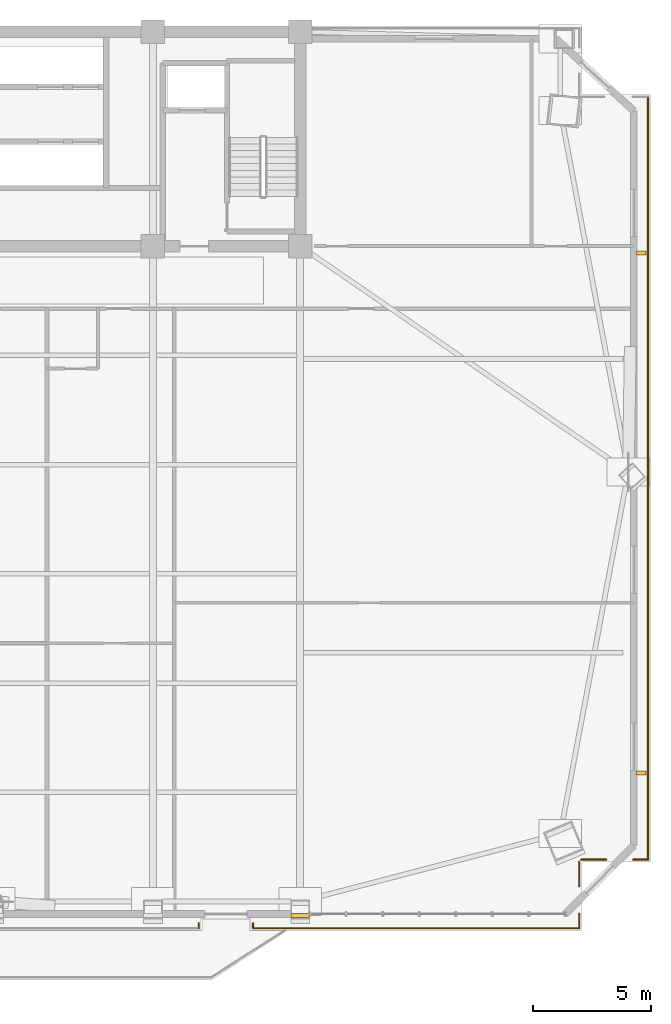
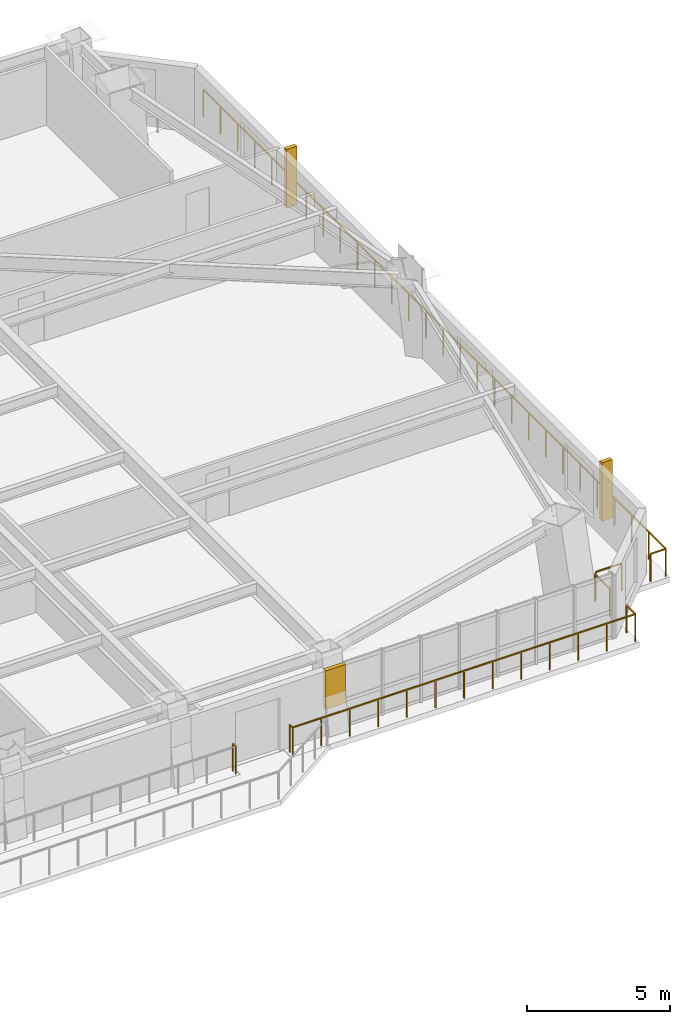
# One storey, part 14 of 16: 8 railings, 2 shading devices, 1 covering.
"""IFC4 building model written with IfcOpenShell, lengths in metres."""

from ifc_helpers import new_model, si_unit, direction, frame, origin, origin_2d, place, context, subcontext, project, spatial, polyline, rectangle, outline, extrude, source, transform, mapped, material, layer, layer_set, type_object, element, save


model = new_model("IFC4")

# Units and contexts
model_context = context("Model", 3, precision=1e-05, world=origin(), true_north=direction((0.0, 1.0)))
body_context = subcontext(model_context, "Body", "Model", "MODEL_VIEW")
ifc_project = project(units=[si_unit("LENGTHUNIT", "METRE"), si_unit("AREAUNIT", "SQUARE_METRE"), si_unit("VOLUMEUNIT", "CUBIC_METRE"), si_unit("PLANEANGLEUNIT", "RADIAN"), si_unit("MASSUNIT", "GRAM", prefix="KILO")], contexts=[model_context])

# Site, building, storey
site_placement = place(None, origin())
site = spatial("IfcSite", under=ifc_project, at=site_placement, CompositionType="ELEMENT")
building_placement = place(site_placement, origin())
building = spatial("IfcBuilding", under=site, at=building_placement, Name="Giltprow Tower", CompositionType="ELEMENT")
storey_placement = place(building_placement, frame((0.0, 0.0, 166.699951171875)))
storey = spatial("IfcBuildingStorey", under=building, at=storey_placement, Name="L41", CompositionType="ELEMENT", Elevation=166.699951171875)

# Covering
ifc_material = material(Name="Anodized bronze", Category="metal")
ifc_layer = layer(ifc_material, 0.0400390625, Name="Anodized bronze")
ifc_layer_set = layer_set([ifc_layer], Name="Anodized bronze")
covering_type = type_object("IfcCoveringType", Name="COV-SOFFIT-BRONZE", PredefinedType="CLADDING", material=ifc_layer_set)
covering_placement = place(storey_placement, frame((0.0, 0.0, 1.10009765625)))
element("IfcCovering", 1, at=covering_placement, inside=storey, type_object=covering_type, Name="L41 Setback Pier Closure Cladding S-5", PredefinedType="CLADDING", context=body_context, shape_type="SweptSolid", body=[
    extrude(outline(polyline([(50.14990234375, 8.9580078125), (50.949951171875, 8.9580078125), (50.949951171875, 9.117919921875), (50.14990234375, 9.117919921875), (50.14990234375, 8.9580078125)])), origin(), (0.0, 0.0, 1.0), 1.64990234375),
])

# Railings
railing_type = type_object("IfcRailingType", Name="RAIL-BALC-GUARD-1200", PredefinedType="BALUSTRADE", material=ifc_material)
railing_1_placement = place(storey_placement, frame((65.31591796875, 43.787109375, 0.0)))
element("IfcRailing", 2, at=railing_1_placement, inside=storey, type_object=railing_type, Name="L41 Corner Apron Edge Balustrade 18", PredefinedType="BALUSTRADE", context=body_context, shape_type="SweptSolid", body=[
    extrude(rectangle(XDim=0.048095703125, YDim=0.048095703125, at=origin_2d()), frame((0.0, 0.0, 1.17578125), z_axis=(0.0, -1.0, 0.0), x_axis=(1.0, 0.0, 0.0)), (0.0, 0.0, 1.0), 32.376220703125),
    extrude(rectangle(XDim=0.0419921875, YDim=0.0419921875, at=origin_2d()), origin(), (0.0, 0.0, 1.0), 1.15185546875),
    extrude(rectangle(XDim=0.0419921875, YDim=0.0419921875, at=origin_2d()), frame((0.0, -1.19921875, 0.0)), (0.0, 0.0, 1.0), 1.15185546875),
    extrude(rectangle(XDim=0.0419921875, YDim=0.0419921875, at=origin_2d()), frame((0.0, -2.398193359375, 0.0)), (0.0, 0.0, 1.0), 1.15185546875),
    extrude(rectangle(XDim=0.0419921875, YDim=0.0419921875, at=origin_2d()), frame((0.0, -3.597412109375, 0.0)), (0.0, 0.0, 1.0), 1.15185546875),
    extrude(rectangle(XDim=0.0419921875, YDim=0.0419921875, at=origin_2d()), frame((0.0, -4.79638671875, 0.0)), (0.0, 0.0, 1.0), 1.15185546875),
    extrude(rectangle(XDim=0.0419921875, YDim=0.0419921875, at=origin_2d()), frame((0.0, -5.99560546875, 0.0)), (0.0, 0.0, 1.0), 1.15185546875),
    extrude(rectangle(XDim=0.0419921875, YDim=0.0419921875, at=origin_2d()), frame((0.0, -7.19482421875, 0.0)), (0.0, 0.0, 1.0), 1.15185546875),
    extrude(rectangle(XDim=0.0419921875, YDim=0.0419921875, at=origin_2d()), frame((0.0, -8.393798828125, 0.0)), (0.0, 0.0, 1.0), 1.15185546875),
    extrude(rectangle(XDim=0.0419921875, YDim=0.0419921875, at=origin_2d()), frame((0.0, -9.593017578125, 0.0)), (0.0, 0.0, 1.0), 1.15185546875),
    extrude(rectangle(XDim=0.0419921875, YDim=0.0419921875, at=origin_2d()), frame((0.0, -10.7919921875, 0.0)), (0.0, 0.0, 1.0), 1.15185546875),
    extrude(rectangle(XDim=0.0419921875, YDim=0.0419921875, at=origin_2d()), frame((0.0, -11.9912109375, 0.0)), (0.0, 0.0, 1.0), 1.15185546875),
    extrude(rectangle(XDim=0.0419921875, YDim=0.0419921875, at=origin_2d()), frame((0.0, -13.1904296875, 0.0)), (0.0, 0.0, 1.0), 1.15185546875),
    extrude(rectangle(XDim=0.0419921875, YDim=0.0419921875, at=origin_2d()), frame((0.0, -14.389404296875, 0.0)), (0.0, 0.0, 1.0), 1.15185546875),
    extrude(rectangle(XDim=0.0419921875, YDim=0.0419921875, at=origin_2d()), frame((0.0, -15.588623046875, 0.0)), (0.0, 0.0, 1.0), 1.15185546875),
    extrude(rectangle(XDim=0.0419921875, YDim=0.0419921875, at=origin_2d()), frame((0.0, -16.78759765625, 0.0)), (0.0, 0.0, 1.0), 1.15185546875),
    extrude(rectangle(XDim=0.0419921875, YDim=0.0419921875, at=origin_2d()), frame((0.0, -17.98681640625, 0.0)), (0.0, 0.0, 1.0), 1.15185546875),
    extrude(rectangle(XDim=0.0419921875, YDim=0.0419921875, at=origin_2d()), frame((0.0, -19.185791015625, 0.0)), (0.0, 0.0, 1.0), 1.15185546875),
    extrude(rectangle(XDim=0.0419921875, YDim=0.0419921875, at=origin_2d()), frame((0.0, -20.385009765625, 0.0)), (0.0, 0.0, 1.0), 1.15185546875),
    extrude(rectangle(XDim=0.0419921875, YDim=0.0419921875, at=origin_2d()), frame((0.0, -21.584228515625, 0.0)), (0.0, 0.0, 1.0), 1.15185546875),
    extrude(rectangle(XDim=0.0419921875, YDim=0.0419921875, at=origin_2d()), frame((0.0, -22.783203125, 0.0)), (0.0, 0.0, 1.0), 1.15185546875),
    extrude(rectangle(XDim=0.0419921875, YDim=0.0419921875, at=origin_2d()), frame((0.0, -23.982421875, 0.0)), (0.0, 0.0, 1.0), 1.15185546875),
    extrude(rectangle(XDim=0.0419921875, YDim=0.0419921875, at=origin_2d()), frame((0.0, -25.181396484375, 0.0)), (0.0, 0.0, 1.0), 1.15185546875),
    extrude(rectangle(XDim=0.0419921875, YDim=0.0419921875, at=origin_2d()), frame((0.0, -26.380615234375, 0.0)), (0.0, 0.0, 1.0), 1.15185546875),
    extrude(rectangle(XDim=0.0419921875, YDim=0.0419921875, at=origin_2d()), frame((0.0, -27.579833984375, 0.0)), (0.0, 0.0, 1.0), 1.15185546875),
    extrude(rectangle(XDim=0.0419921875, YDim=0.0419921875, at=origin_2d()), frame((0.0, -28.77880859375, 0.0)), (0.0, 0.0, 1.0), 1.15185546875),
    extrude(rectangle(XDim=0.0419921875, YDim=0.0419921875, at=origin_2d()), frame((0.0, -29.97802734375, 0.0)), (0.0, 0.0, 1.0), 1.15185546875),
    extrude(rectangle(XDim=0.0419921875, YDim=0.0419921875, at=origin_2d()), frame((0.0, -31.177001953125, 0.0)), (0.0, 0.0, 1.0), 1.15185546875),
    extrude(rectangle(XDim=0.0419921875, YDim=0.0419921875, at=origin_2d()), frame((0.0, -32.376220703125, 0.0)), (0.0, 0.0, 1.0), 1.15185546875),
])
railing_2_placement = place(storey_placement, frame((65.31591796875, 11.410888671875, 0.0)))
element("IfcRailing", 3, at=railing_2_placement, inside=storey, type_object=railing_type, Name="L41 Corner Apron Edge Balustrade 19", PredefinedType="BALUSTRADE", context=body_context, shape_type="SweptSolid", body=[
    extrude(rectangle(XDim=0.048095703125, YDim=0.048095703125, at=origin_2d()), frame((0.0, 0.0, 1.17578125), z_axis=(-1.0, 0.0, 0.0), x_axis=(0.0, -1.0, 0.0)), (0.0, 0.0, 1.0), 0.619873046875),
    extrude(rectangle(XDim=0.0419921875, YDim=0.0419921875, at=origin_2d()), origin(), (0.0, 0.0, 1.0), 1.15185546875),
    extrude(rectangle(XDim=0.0419921875, YDim=0.0419921875, at=origin_2d()), frame((-0.619873046875, 0.0, 0.0)), (0.0, 0.0, 1.0), 1.15185546875),
])
railing_3_placement = place(storey_placement, frame((63.535888671875, 11.410888671875, 0.0)))
element("IfcRailing", 4, at=railing_3_placement, inside=storey, type_object=railing_type, Name="L41 Corner Apron Edge Balustrade 20", PredefinedType="BALUSTRADE", context=body_context, shape_type="SweptSolid", body=[
    extrude(rectangle(XDim=0.048095703125, YDim=0.048095703125, at=origin_2d()), frame((0.0, 0.0, 1.17578125), z_axis=(-1.0, 0.0, 0.0), x_axis=(0.0, -1.0, 0.0)), (0.0, 0.0, 1.0), 1.0478515625),
    extrude(rectangle(XDim=0.0419921875, YDim=0.0419921875, at=origin_2d()), origin(), (0.0, 0.0, 1.0), 1.15185546875),
    extrude(rectangle(XDim=0.0419921875, YDim=0.0419921875, at=origin_2d()), frame((-1.0478515625, 0.0, 0.0)), (0.0, 0.0, 1.0), 1.15185546875),
])
railing_4_placement = place(storey_placement, frame((62.403076171875, 11.325927734375, 0.0)))
element("IfcRailing", 5, at=railing_4_placement, inside=storey, type_object=railing_type, Name="L41 Corner Apron Edge Balustrade 21", PredefinedType="BALUSTRADE", context=body_context, shape_type="SweptSolid", body=[
    extrude(rectangle(XDim=0.048095703125, YDim=0.048095703125, at=origin_2d()), frame((0.0, 0.0, 1.17578125), z_axis=(0.0, -1.0, 0.0), x_axis=(1.0, 0.0, 0.0)), (0.0, 0.0, 1.0), 1.0478515625),
    extrude(rectangle(XDim=0.0419921875, YDim=0.0419921875, at=origin_2d()), origin(), (0.0, 0.0, 1.0), 1.15185546875),
    extrude(rectangle(XDim=0.0419921875, YDim=0.0419921875, at=origin_2d()), frame((0.0, -1.0478515625, 0.0)), (0.0, 0.0, 1.0), 1.15185546875),
])
railing_5_placement = place(storey_placement, frame((62.403076171875, 9.117919921875, 0.0)))
element("IfcRailing", 6, at=railing_5_placement, inside=storey, type_object=railing_type, Name="L41 Corner Apron Edge Balustrade 22", PredefinedType="BALUSTRADE", context=body_context, shape_type="SweptSolid", body=[
    extrude(rectangle(XDim=0.048095703125, YDim=0.048095703125, at=origin_2d()), frame((0.0, 0.0, 1.17578125), z_axis=(0.0, -1.0, 0.0), x_axis=(1.0, 0.0, 0.0)), (0.0, 0.0, 1.0), 0.619873046875),
    extrude(rectangle(XDim=0.0419921875, YDim=0.0419921875, at=origin_2d()), origin(), (0.0, 0.0, 1.0), 1.15185546875),
    extrude(rectangle(XDim=0.0419921875, YDim=0.0419921875, at=origin_2d()), frame((0.0, -0.619873046875, 0.0)), (0.0, 0.0, 1.0), 1.15185546875),
])
railing_6_placement = place(storey_placement, frame((62.403076171875, 8.498046875, 0.0)))
element("IfcRailing", 7, at=railing_6_placement, inside=storey, type_object=railing_type, Name="L41 Corner Apron Edge Balustrade 23", PredefinedType="BALUSTRADE", context=body_context, shape_type="SweptSolid", body=[
    extrude(rectangle(XDim=0.048095703125, YDim=0.048095703125, at=origin_2d()), frame((0.0, 0.0, 1.17578125), z_axis=(-1.0, 0.0, 0.0), x_axis=(0.0, -1.0, 0.0)), (0.0, 0.0, 1.0), 13.85302734375),
    extrude(rectangle(XDim=0.0419921875, YDim=0.0419921875, at=origin_2d()), origin(), (0.0, 0.0, 1.0), 1.15185546875),
    extrude(rectangle(XDim=0.0419921875, YDim=0.0419921875, at=origin_2d()), frame((-1.154296875, 0.0, 0.0)), (0.0, 0.0, 1.0), 1.15185546875),
    extrude(rectangle(XDim=0.0419921875, YDim=0.0419921875, at=origin_2d()), frame((-2.308837890625, 0.0, 0.0)), (0.0, 0.0, 1.0), 1.15185546875),
    extrude(rectangle(XDim=0.0419921875, YDim=0.0419921875, at=origin_2d()), frame((-3.46337890625, 0.0, 0.0)), (0.0, 0.0, 1.0), 1.15185546875),
    extrude(rectangle(XDim=0.0419921875, YDim=0.0419921875, at=origin_2d()), frame((-4.61767578125, 0.0, 0.0)), (0.0, 0.0, 1.0), 1.15185546875),
    extrude(rectangle(XDim=0.0419921875, YDim=0.0419921875, at=origin_2d()), frame((-5.77197265625, 0.0, 0.0)), (0.0, 0.0, 1.0), 1.15185546875),
    extrude(rectangle(XDim=0.0419921875, YDim=0.0419921875, at=origin_2d()), frame((-6.926513671875, 0.0, 0.0)), (0.0, 0.0, 1.0), 1.15185546875),
    extrude(rectangle(XDim=0.0419921875, YDim=0.0419921875, at=origin_2d()), frame((-8.0810546875, 0.0, 0.0)), (0.0, 0.0, 1.0), 1.15185546875),
    extrude(rectangle(XDim=0.0419921875, YDim=0.0419921875, at=origin_2d()), frame((-9.2353515625, 0.0, 0.0)), (0.0, 0.0, 1.0), 1.15185546875),
    extrude(rectangle(XDim=0.0419921875, YDim=0.0419921875, at=origin_2d()), frame((-10.3896484375, 0.0, 0.0)), (0.0, 0.0, 1.0), 1.15185546875),
    extrude(rectangle(XDim=0.0419921875, YDim=0.0419921875, at=origin_2d()), frame((-11.544189453125, 0.0, 0.0)), (0.0, 0.0, 1.0), 1.15185546875),
    extrude(rectangle(XDim=0.0419921875, YDim=0.0419921875, at=origin_2d()), frame((-12.69873046875, 0.0, 0.0)), (0.0, 0.0, 1.0), 1.15185546875),
    extrude(rectangle(XDim=0.0419921875, YDim=0.0419921875, at=origin_2d()), frame((-13.85302734375, 0.0, 0.0)), (0.0, 0.0, 1.0), 1.15185546875),
])
railing_7_placement = place(storey_placement, frame((48.550048828125, 8.498046875, 0.0)))
element("IfcRailing", 8, at=railing_7_placement, inside=storey, type_object=railing_type, Name="L41 Corner Apron Edge Balustrade 24", PredefinedType="BALUSTRADE", context=body_context, shape_type="SweptSolid", body=[
    extrude(rectangle(XDim=0.048095703125, YDim=0.048095703125, at=origin_2d()), frame((0.0, 0.0, 1.17578125), z_axis=(0.0, 1.0, 0.0), x_axis=(-1.0, 0.0, 0.0)), (0.0, 0.0, 1.0), 0.199951171875),
    extrude(rectangle(XDim=0.0419921875, YDim=0.0419921875, at=origin_2d()), origin(), (0.0, 0.0, 1.0), 1.15185546875),
    extrude(rectangle(XDim=0.0419921875, YDim=0.0419921875, at=origin_2d()), frame((0.0, 0.199951171875, 0.0)), (0.0, 0.0, 1.0), 1.15185546875),
])
railing_8_placement = place(storey_placement, frame((46.25, 8.697998046875, 0.0)))
element("IfcRailing", 9, at=railing_8_placement, inside=storey, type_object=railing_type, Name="L41 Corner Apron Edge Balustrade 25", PredefinedType="BALUSTRADE", context=body_context, shape_type="SweptSolid", body=[
    extrude(rectangle(XDim=0.048095703125, YDim=0.048095703125, at=origin_2d()), frame((0.0, 0.0, 1.17578125), z_axis=(0.0, -1.0, 0.0), x_axis=(1.0, 0.0, 0.0)), (0.0, 0.0, 1.0), 0.199951171875),
    extrude(rectangle(XDim=0.0419921875, YDim=0.0419921875, at=origin_2d()), origin(), (0.0, 0.0, 1.0), 1.15185546875),
    extrude(rectangle(XDim=0.0419921875, YDim=0.0419921875, at=origin_2d()), frame((0.0, -0.199951171875, 0.0)), (0.0, 0.0, 1.0), 1.15185546875),
])

# Shading devices
shading_device_type = type_object("IfcShadingDeviceType", Name="SHD-FIN-420", PredefinedType="USERDEFINED", material=ifc_material)
shared_shape = source(origin(), body_context, "Body", "SweptSolid", [
    extrude(rectangle(XDim=0.419921875, YDim=0.159912109375, at=origin_2d()), origin(), (0.0, 0.0, 1.0), 2.5),
])
for number, where, z_axis, x_axis, name in (
    (10, (65.01611328125, 15.080078125, 0.35009765625), (0.0, 0.0, 1.0), (1.0, 0.0, 0.0), "L41 E Bronze Vertical Fin 1-1"),
    (11, (65.01611328125, 37.158935546875, 0.35009765625), (0.0, 0.0, 1.0), (1.0, 0.0, 0.0), "L41 E Bronze Vertical Fin 2-1"),
):
    element("IfcShadingDevice", number, at=place(storey_placement, frame(where, z_axis=z_axis, x_axis=x_axis)), inside=storey, type_object=shading_device_type, Name=name, ObjectType="FIN", PredefinedType="USERDEFINED", context=body_context, shape_type="MappedRepresentation", body=[
        mapped(shared_shape, transform((0.0, 0.0, 0.0), x_axis=(1.0, 0.0, 0.0), y_axis=(0.0, 1.0, 0.0), z_axis=(0.0, 0.0, 1.0), scale=1.0)),
    ])

save(model, "model.ifc")
